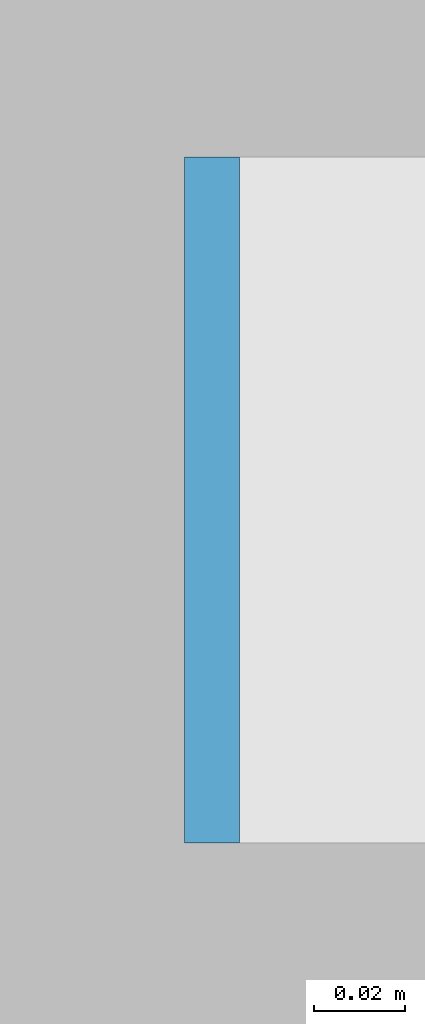
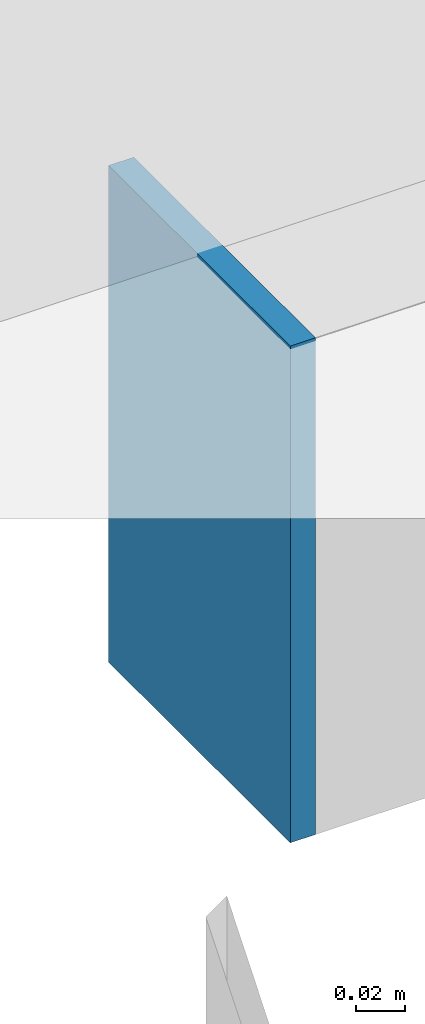
# One storey, part 75 of 98: 1 discrete accessory.
"""IFC4 building model written with IfcOpenShell, lengths in metres."""

from ifc_helpers import new_model, si_unit, direction, frame, origin, place, context, subcontext, project, spatial, polyline, outline, extrude, material, layer, layer_set, type_object, element, save


model = new_model("IFC4")

# Units and contexts
model_context = context("Model", 3, precision=1e-05, world=origin(), true_north=direction((0.0, 1.0)))
body_context = subcontext(model_context, "Body", "Model", "MODEL_VIEW")
ifc_project = project(units=[si_unit("LENGTHUNIT", "METRE"), si_unit("AREAUNIT", "SQUARE_METRE"), si_unit("VOLUMEUNIT", "CUBIC_METRE"), si_unit("PLANEANGLEUNIT", "RADIAN"), si_unit("MASSUNIT", "GRAM", prefix="KILO")], contexts=[model_context])

# Site, building, storey
site_placement = place(None, origin())
site = spatial("IfcSite", under=ifc_project, at=site_placement, CompositionType="ELEMENT")
building_placement = place(site_placement, origin())
building = spatial("IfcBuilding", under=site, at=building_placement, Name="Kisiwana Market Hall", CompositionType="ELEMENT")
storey_placement = place(building_placement, frame((0.0, 0.0, 29.39990234375)))
storey = spatial("IfcBuildingStorey", under=building, at=storey_placement, Name="L06", CompositionType="ELEMENT", Elevation=29.39990234375)

# Discrete accessory
ifc_material = material(Name="Steel S355", Category="steel")
ifc_layer = layer(ifc_material, 0.011962890625)
ifc_layer_set = layer_set([ifc_layer], Name="ACC-ENDCAP-STL")
discrete_accessory_type = type_object("IfcDiscreteAccessoryType", Name="ACC-ENDCAP-STL", PredefinedType="USERDEFINED", material=ifc_layer_set)
discrete_accessory_placement = place(storey_placement, frame((0.0, 0.0, -0.494873046875)))
element("IfcDiscreteAccessory", 1, at=discrete_accessory_placement, inside=storey, type_object=discrete_accessory_type, Name="End cap plate EC-0088", ObjectType="End cap plate", PredefinedType="USERDEFINED", context=body_context, shape_type="SweptSolid", body=[
    extrude(outline(polyline([(27.14599609375, 110.925048828125), (27.14599609375, 111.074951171875), (27.134033203125, 111.074951171875), (27.134033203125, 110.925048828125), (27.14599609375, 110.925048828125)])), origin(), (0.0, 0.0, 1.0), 0.25),
])

save(model, "model.ifc")
